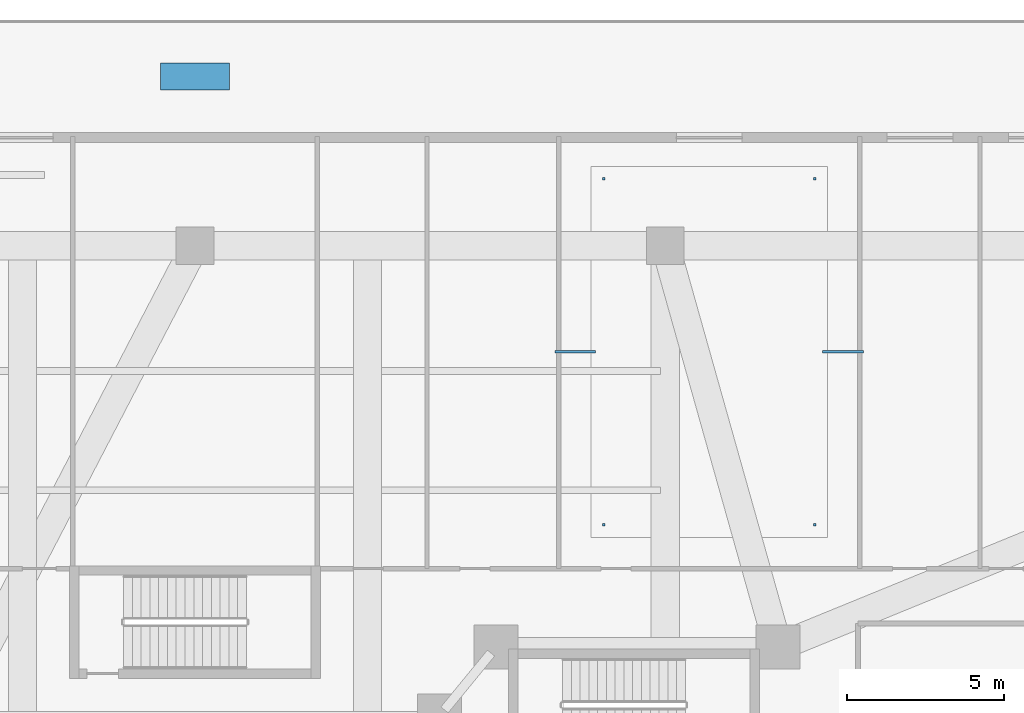
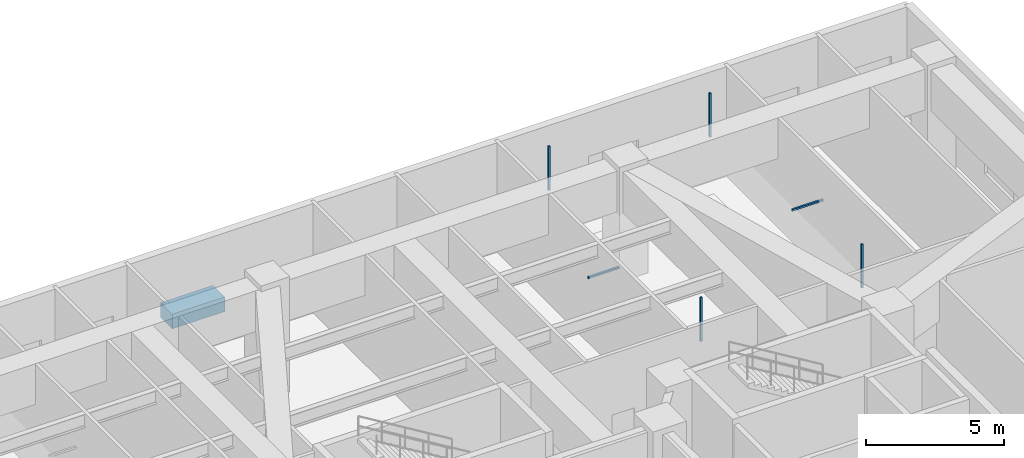
# One storey, part 17 of 21: 7 discrete accessories.
"""IFC4 building model written with IfcOpenShell, lengths in metres."""

from ifc_helpers import new_model, si_unit, direction, frame, origin, origin_2d, place, context, subcontext, project, spatial, rectangle, extrude, material, type_object, element, save


model = new_model("IFC4")

# Units and contexts
model_context = context("Model", 3, precision=1e-05, world=origin(), true_north=direction((0.0, 1.0)))
body_context = subcontext(model_context, "Body", "Model", "MODEL_VIEW")
ifc_project = project(units=[si_unit("LENGTHUNIT", "METRE"), si_unit("AREAUNIT", "SQUARE_METRE"), si_unit("VOLUMEUNIT", "CUBIC_METRE"), si_unit("PLANEANGLEUNIT", "RADIAN"), si_unit("MASSUNIT", "GRAM", prefix="KILO")], contexts=[model_context])

# Site, building, storey
site_placement = place(None, origin())
site = spatial("IfcSite", under=ifc_project, at=site_placement, CompositionType="ELEMENT")
building_placement = place(site_placement, origin())
building = spatial("IfcBuilding", under=site, at=building_placement, Name="Tarnavaz Court Tower", CompositionType="ELEMENT")
storey_placement = place(building_placement, frame((0.0, 0.0, 18.89990234375)))
storey = spatial("IfcBuildingStorey", under=building, at=storey_placement, Name="L04", CompositionType="ELEMENT", Elevation=18.89990234375)

# Discrete accessories
ifc_material_1 = material(Name="Anodised Aluminium 6063-T6", Category="aluminium")
discrete_accessory_type_1 = type_object("IfcDiscreteAccessoryType", Name="DA-BRKT-ALU", PredefinedType="BRACKET", material=ifc_material_1)
for number, where, z_axis, x_axis, name in (
    (1, (13.030029296875, 13.89990234375, 2.940185546875), (0.0, 0.0, 1.0), (1.0, 0.0, 0.0), "L04 Ceiling Suspension Hanger Bracket 02-1"),
    (2, (19.77001953125, 13.89990234375, 2.940185546875), (0.0, 0.0, 1.0), (1.0, 0.0, 0.0), "L04 Ceiling Suspension Hanger Bracket 02-2"),
    (3, (19.77001953125, 24.929931640625, 2.940185546875), (0.0, 0.0, 1.0), (1.0, 0.0, 0.0), "L04 Ceiling Suspension Hanger Bracket 02-3"),
    (4, (13.030029296875, 24.929931640625, 2.940185546875), (0.0, 0.0, 1.0), (1.0, 0.0, 0.0), "L04 Ceiling Suspension Hanger Bracket 02-4"),
):
    element("IfcDiscreteAccessory", number, at=place(storey_placement, frame(where, z_axis=z_axis, x_axis=x_axis)), inside=storey, type_object=discrete_accessory_type_1, Name=name, PredefinedType="BRACKET", context=body_context, shape_type="SweptSolid", body=[
        extrude(rectangle(XDim=0.080078125, YDim=0.080078125, at=origin_2d()), origin(), (0.0, 0.0, 1.0), 1.93994140625),
    ])
for number, where, z_axis, x_axis, name in (
    (5, (12.1298828125, 19.4150390625, 2.902587890625), (0.0, 0.0, 1.0), (1.0, 0.0, 0.0), "L04 Ceiling Perimeter Wall-Tie Bracket 02-1"),
    (6, (20.669921875, 19.4150390625, 2.902587890625), (0.0, 0.0, 1.0), (1.0, 0.0, 0.0), "L04 Ceiling Perimeter Wall-Tie Bracket 02-2"),
):
    element("IfcDiscreteAccessory", number, at=place(storey_placement, frame(where, z_axis=z_axis, x_axis=x_axis)), inside=storey, type_object=discrete_accessory_type_1, Name=name, PredefinedType="BRACKET", context=body_context, shape_type="SweptSolid", body=[
        extrude(rectangle(XDim=1.300048828125, YDim=0.080078125, at=origin_2d()), origin(), (0.0, 0.0, 1.0), 0.080078125),
    ])
ifc_material_2 = material(Name="Terracotta Architectural Planter Trough", Category="masonry")
discrete_accessory_type_2 = type_object("IfcDiscreteAccessoryType", Name="DA-PLANTER-TC", PredefinedType="USERDEFINED", material=ifc_material_2)
discrete_accessory_placement = place(storey_placement, frame((0.0, 28.199951171875, 0.000244140625), z_axis=(0.0, 0.0, 1.0), x_axis=(1.0, 0.0, 0.0)))
element("IfcDiscreteAccessory", 7, at=discrete_accessory_placement, inside=storey, type_object=discrete_accessory_type_2, Name="L04 Chahar-Bagh Terracotta Landscape Planter 1", ObjectType="PLANTER", PredefinedType="USERDEFINED", context=body_context, shape_type="SweptSolid", body=[
    extrude(rectangle(XDim=2.199951171875, YDim=0.85009765625, at=origin_2d()), origin(), (0.0, 0.0, 1.0), 0.64990234375),
])

save(model, "model.ifc")
